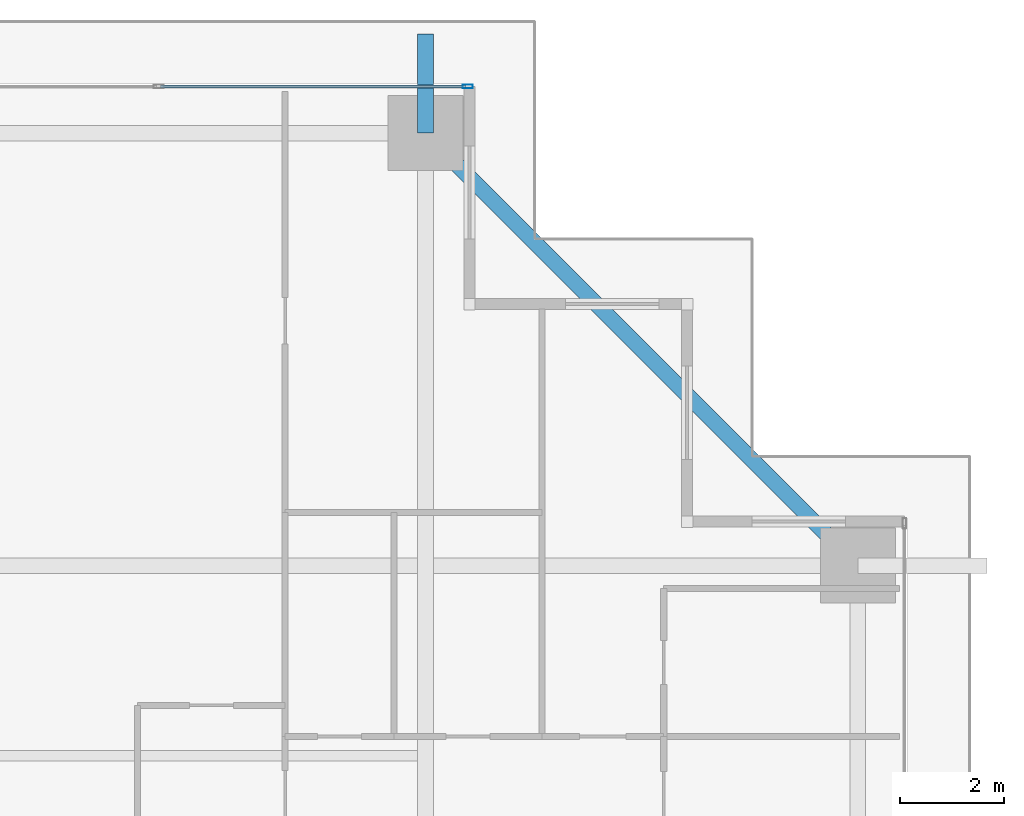
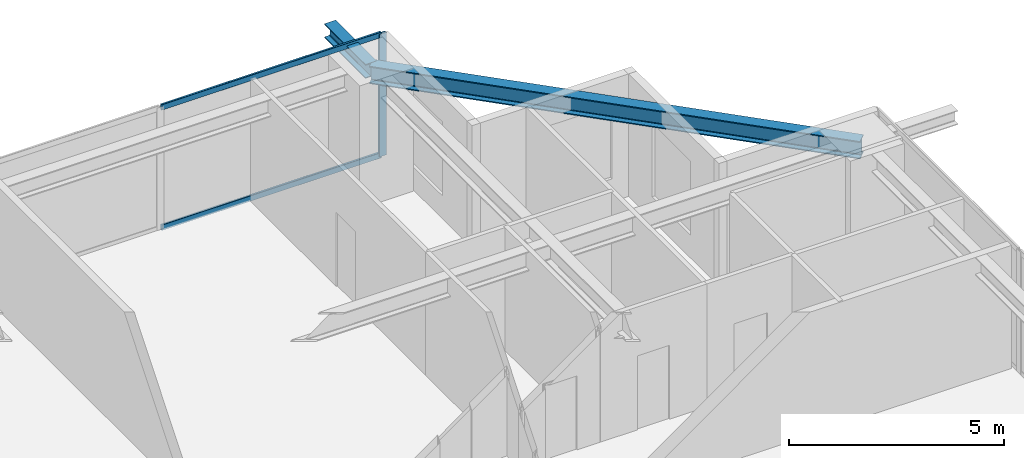
# One storey, part 25 of 41: 3 members, 2 beams, 1 element without a shape of its own.
"""IFC4 building model written with IfcOpenShell, lengths in metres."""

import ifcopenshell
import ifcopenshell.guid

model = None  # the IFC model being written
_history = None  # IfcOwnerHistory: only IFC2X3 demands one
_inside = {}  # id of a spatial element -> (the spatial element, [elements in it])
_under = {}  # id of a project, library or spatial element -> (it, [spatial elements below it])
_declared = {}  # id of a project -> (the project, [libraries it declares])
_typed = {}  # id of a type object -> (the type object, [elements of that type])
_made_of = {}  # id of a material, layer set ... -> (it, [elements and type objects made of it])


def new_model(schema):
    """Start an empty IFC model of exactly this schema.

    Asked for "IFC4X3", IfcOpenShell would pick the latest addendum, in which some entities
    have other attributes; the version numbers below select the first issue.
    IFC2X3 requires an IfcOwnerHistory on every rooted entity: one is made here for all.
    """
    global model, _history
    if schema == "IFC4X3":
        model = ifcopenshell.file(schema_version=(4, 3, 0, 0))
    else:
        model = ifcopenshell.file(schema=schema)
    _inside.clear()
    _under.clear()
    _declared.clear()
    _typed.clear()
    _made_of.clear()
    _history = None
    if model.schema == "IFC2X3":
        org = make("IfcOrganization", Name="unknown")
        user = make(
            "IfcPersonAndOrganization",
            ThePerson=make("IfcPerson", FamilyName="unknown"),
            TheOrganization=org,
        )
        app = make(
            "IfcApplication",
            ApplicationDeveloper=org,
            Version="unknown",
            ApplicationFullName="unknown",
            ApplicationIdentifier="unknown",
        )
        _history = make(
            "IfcOwnerHistory",
            OwningUser=user,
            OwningApplication=app,
            ChangeAction="ADDED",
            CreationDate=0,
        )
    return model


def make(cls, **values):
    """One entity of the class cls with the attributes given. An attribute that is None is left unset."""
    return model.create_entity(
        cls, **{name: value for name, value in values.items() if value is not None}
    )


def rooted(cls, **values):
    """An entity with a GlobalId (a new one), such as an element, a storey or a relation."""
    return make(cls, GlobalId=ifcopenshell.guid.new(), OwnerHistory=_history, **values)


def si_unit(unit_type, name, prefix=None):
    """IfcSIUnit, for example si_unit("LENGTHUNIT", "METRE", prefix="MILLI")."""
    return make("IfcSIUnit", UnitType=unit_type, Prefix=prefix, Name=name)


def assignment(units):
    """IfcUnitAssignment: the units of a project."""
    return None if units is None else make("IfcUnitAssignment", Units=units)


def point(xyz):
    """IfcCartesianPoint."""
    return None if xyz is None else make("IfcCartesianPoint", Coordinates=xyz)


def direction(xyz):
    """IfcDirection."""
    return None if xyz is None else make("IfcDirection", DirectionRatios=xyz)


def frame(location, z_axis=None, x_axis=None):
    """IfcAxis2Placement3D, a coordinate frame: its origin and axes. An axis left out is left unset."""
    return make(
        "IfcAxis2Placement3D",
        Location=point(location),
        Axis=direction(z_axis),
        RefDirection=direction(x_axis),
    )


def frame_2d(location, x_axis=None):
    """IfcAxis2Placement2D, a coordinate frame in the plane: its origin and x axis."""
    return make(
        "IfcAxis2Placement2D", Location=point(location), RefDirection=direction(x_axis)
    )


def origin():
    """The frame at (0, 0, 0) with its axes left unset."""
    return frame((0.0, 0.0, 0.0))


def origin_2d():
    """The frame at (0, 0) in the plane with its x axis left unset."""
    return frame_2d((0.0, 0.0))


def place(relative_to, where):
    """IfcLocalPlacement: puts the frame where relative to a parent placement (None: the world)."""
    return make(
        "IfcLocalPlacement", PlacementRelTo=relative_to, RelativePlacement=where
    )


def context(
    kind, dimensions, precision=None, world=None, true_north=None, identifier=None
):
    """IfcGeometricRepresentationContext, for example the 3D "Model" context."""
    return make(
        "IfcGeometricRepresentationContext",
        ContextIdentifier=identifier,
        ContextType=kind,
        CoordinateSpaceDimension=dimensions,
        Precision=precision,
        WorldCoordinateSystem=world,
        TrueNorth=true_north,
    )


def subcontext(parent, identifier, kind, view, scale=None):
    """IfcGeometricRepresentationSubContext, for example "Body" below "Model"."""
    return make(
        "IfcGeometricRepresentationSubContext",
        ContextIdentifier=identifier,
        ContextType=kind,
        ParentContext=parent,
        TargetScale=scale,
        TargetView=view,
    )


def project(units=None, contexts=None):
    """IfcProject with its units and contexts."""
    return rooted(
        "IfcProject",
        Name="project",
        RepresentationContexts=contexts,
        UnitsInContext=assignment(units),
    )


def spatial(cls, under=None, at=None, **own):
    """A site, building, storey or space (cls), placed at a placement, below another one or the project."""
    s = rooted(cls, ObjectPlacement=at, **own)
    if under is not None:
        _under.setdefault(under.id(), (under, []))[1].append(s)
    return s


def profile(cls, at=None, kind="AREA", **sizes):
    """A parametric profile (cls). Its sizes go by their IFC names, for example OverallWidth=200.0."""
    return make(cls, ProfileType=kind, Position=at, **sizes)


def hollow_rectangle(**sizes):
    """IfcRectangleHollowProfileDef."""
    return profile("IfcRectangleHollowProfileDef", **sizes)


def i_section(**sizes):
    """IfcIShapeProfileDef."""
    return profile("IfcIShapeProfileDef", **sizes)


def extrude(swept, where, along, depth):
    """IfcExtrudedAreaSolid: the profile swept, set in the frame where, extruded along a direction by depth."""
    return make(
        "IfcExtrudedAreaSolid",
        SweptArea=swept,
        Position=where,
        ExtrudedDirection=direction(along),
        Depth=depth,
    )


def shape(context_of_items, identifier, shape_type, items):
    """IfcShapeRepresentation: the items that make up one representation, for example the "Body"."""
    return make(
        "IfcShapeRepresentation",
        ContextOfItems=context_of_items,
        RepresentationIdentifier=identifier,
        RepresentationType=shape_type,
        Items=items,
    )


def source(mapping_origin, context_of_items, identifier, shape_type, items):
    """IfcRepresentationMap: a shape defined once, which mapped items show again and again."""
    return make(
        "IfcRepresentationMap",
        MappingOrigin=mapping_origin,
        MappedRepresentation=shape(context_of_items, identifier, shape_type, items),
    )


def transform(
    local_origin,
    x_axis=None,
    y_axis=None,
    z_axis=None,
    scale=None,
    scale2=None,
    scale3=None,
    uniform=True,
):
    """IfcCartesianTransformationOperator3D, or its non-uniform kind. x_axis, y_axis, z_axis: its Axis1, 2, 3."""
    if uniform:
        return make(
            "IfcCartesianTransformationOperator3D",
            Axis1=direction(x_axis),
            Axis2=direction(y_axis),
            LocalOrigin=point(local_origin),
            Scale=scale,
            Axis3=direction(z_axis),
        )
    return make(
        "IfcCartesianTransformationOperator3DnonUniform",
        Axis1=direction(x_axis),
        Axis2=direction(y_axis),
        LocalOrigin=point(local_origin),
        Scale=scale,
        Axis3=direction(z_axis),
        Scale2=scale2,
        Scale3=scale3,
    )


def mapped(mapping_source, mapping_target):
    """IfcMappedItem: shows the shape of a source again, moved by a transform."""
    return make(
        "IfcMappedItem", MappingSource=mapping_source, MappingTarget=mapping_target
    )


def material(Name=None, Category=None):
    """IfcMaterial."""
    return make("IfcMaterial", Name=Name, Category=Category)


def layer(
    of_material, thickness, ventilated=None, Name=None, Category=None, Priority=None
):
    """IfcMaterialLayer: one layer of a wall or slab, of a material (None: an air gap)."""
    return make(
        "IfcMaterialLayer",
        Material=of_material,
        LayerThickness=thickness,
        IsVentilated=ventilated,
        Name=Name,
        Category=Category,
        Priority=Priority,
    )


def layer_set(layers, Name=None):
    """IfcMaterialLayerSet."""
    return make("IfcMaterialLayerSet", MaterialLayers=layers, LayerSetName=Name)


def material_profile(
    of_material, cross_section, Name=None, Category=None, Priority=None
):
    """IfcMaterialProfile: a cross section and its material."""
    return make(
        "IfcMaterialProfile",
        Name=Name,
        Material=of_material,
        Profile=cross_section,
        Priority=Priority,
        Category=Category,
    )


def profile_set(profiles, Name=None, composite=None):
    """IfcMaterialProfileSet."""
    return make(
        "IfcMaterialProfileSet",
        Name=Name,
        MaterialProfiles=profiles,
        CompositeProfile=composite,
    )


def made_of(thing, what):
    """Note that an element or type object is made of a material, layer set ...; save() writes the relation."""
    if what is not None:
        _made_of.setdefault(what.id(), (what, []))[1].append(thing)
    return thing


def type_object(cls, material=None, **own):
    """A type object (cls), such as IfcWallType, which elements share."""
    return made_of(rooted(cls, **own), material)


def element(
    cls,
    number,
    at=None,
    inside=None,
    cuts=None,
    type_object=None,
    material=None,
    context=None,
    identifier="Body",
    shape_type=None,
    held_by="IfcProductDefinitionShape",
    body=None,
    shapes=None,
    **own,
):
    """One element of the class cls, such as IfcWall. Its Tag is "e" and its number.

    at: its placement. inside: the storey or other place that contains it. cuts: it is an
    opening in that element (IfcRelVoidsElement). A single representation is given by context,
    identifier, shape_type and body (its items); several are given by shapes. held_by: the class
    of the entity that holds the representations. save() writes the other relations.
    """
    e = rooted(cls, Tag="e%d" % number, ObjectPlacement=at, **own)
    if body is not None:
        shapes = [shape(context, identifier, shape_type, body)]
    if shapes is not None:
        e.Representation = make(held_by, Representations=shapes)
    if inside is not None:
        _inside.setdefault(inside.id(), (inside, []))[1].append(e)
    if cuts is not None:
        rooted(
            "IfcRelVoidsElement", RelatingBuildingElement=cuts, RelatedOpeningElement=e
        )
    if type_object is not None:
        _typed.setdefault(type_object.id(), (type_object, []))[1].append(e)
    return made_of(e, material)


def aggregate(whole, parts):
    """IfcRelAggregates: a whole, such as a stair, and the parts it consists of."""
    return rooted("IfcRelAggregates", RelatingObject=whole, RelatedObjects=parts)


def save(model, path):
    """Write the relations noted so far, then the file.

    IfcRelAggregates (storeys below a building ...), IfcRelContainedInSpatialStructure (elements
    in a storey), IfcRelDefinesByType, IfcRelAssociatesMaterial and IfcRelDeclares: one each for
    every whole, place, type object, material and project.
    """
    for whole, parts in _under.values():
        aggregate(whole, parts)
    for where, things in _inside.values():
        rooted(
            "IfcRelContainedInSpatialStructure",
            RelatedElements=things,
            RelatingStructure=where,
        )
    for kind, things in _typed.values():
        rooted("IfcRelDefinesByType", RelatedObjects=things, RelatingType=kind)
    for what, things in _made_of.values():
        rooted("IfcRelAssociatesMaterial", RelatedObjects=things, RelatingMaterial=what)
    for by, libraries in _declared.values():
        rooted("IfcRelDeclares", RelatingContext=by, RelatedDefinitions=libraries)
    model.write(path)


model = new_model("IFC4")

# Units and contexts
model_context = context("Model", 3, precision=1e-05, world=origin(), true_north=direction((0.0, 1.0)))
body_context = subcontext(model_context, "Body", "Model", "MODEL_VIEW")
ifc_project = project(units=[si_unit("LENGTHUNIT", "METRE"), si_unit("AREAUNIT", "SQUARE_METRE"), si_unit("VOLUMEUNIT", "CUBIC_METRE"), si_unit("PLANEANGLEUNIT", "RADIAN"), si_unit("MASSUNIT", "GRAM", prefix="KILO")], contexts=[model_context])

# Site, building, storey
site_placement = place(None, origin())
site = spatial("IfcSite", under=ifc_project, at=site_placement, CompositionType="ELEMENT")
building_placement = place(site_placement, origin())
building = spatial("IfcBuilding", under=site, at=building_placement, Name="Serunith Strait Residences", CompositionType="ELEMENT")
storey_placement = place(building_placement, frame((0.0, 0.0, 45.449951171875)))
storey = spatial("IfcBuildingStorey", under=building, at=storey_placement, Name="L10", CompositionType="ELEMENT", Elevation=45.449951171875)

# Beams
ifc_material_1 = material(Name="Steel S355J2", Category="steel")
ifc_material_profile_1 = material_profile(ifc_material_1, i_section(OverallWidth=0.300048828125, OverallDepth=0.5, WebThickness=0.014404296875, FlangeThickness=0.028076171875, FilletRadius=0.027099609375, at=origin_2d()), Name="HEB 500")
ifc_profile_set_1 = profile_set([ifc_material_profile_1], Name="Steel S355J2")
beam_type_1 = type_object("IfcBeamType", Name="BM-HEB500", PredefinedType="BEAM", material=ifc_profile_set_1)
shared_shape_1 = source(origin(), body_context, "Body", "SweptSolid", [
    extrude(i_section(OverallWidth=0.300048828125, OverallDepth=0.5, WebThickness=0.014404296875, FlangeThickness=0.028076171875, FilletRadius=0.027099609375, at=origin_2d()), origin(), (0.0, 0.0, 1.0), 11.80859375),
])
beam_1_placement = place(storey_placement, frame((57.89990234375, 40.949951171875, 3.20703125), z_axis=(-0.707096443746, 0.707117118476, 0.0), x_axis=(-0.707117118476, -0.707096443746, 0.0)))
element("IfcBeam", 1, at=beam_1_placement, inside=storey, type_object=beam_type_1, Name="L10 Perimeter Ring Beam 08", PredefinedType="BEAM", context=body_context, shape_type="MappedRepresentation", body=[
    mapped(shared_shape_1, transform((0.0, 0.0, 0.0), scale=1.0)),
])
ifc_material_profile_2 = material_profile(ifc_material_1, i_section(OverallWidth=0.300048828125, OverallDepth=0.39990234375, WebThickness=0.013427734375, FlangeThickness=0.02392578125, FilletRadius=0.027099609375, at=origin_2d()), Name="HEB 400")
ifc_profile_set_2 = profile_set([ifc_material_profile_2], Name="Steel S355J2")
beam_type_2 = type_object("IfcBeamType", Name="BM-HEB400", PredefinedType="BEAM", material=ifc_profile_set_2)
shared_shape_2 = source(origin(), body_context, "Body", "SweptSolid", [
    extrude(i_section(OverallWidth=0.300048828125, OverallDepth=0.39990234375, WebThickness=0.013427734375, FlangeThickness=0.02392578125, FilletRadius=0.027099609375, at=origin_2d()), origin(), (0.0, 0.0, 1.0), 1.909912109375),
])
beam_2_placement = place(storey_placement, frame((49.550048828125, 49.300048828125, 3.257080078125), z_axis=(0.0, 1.0, 0.0), x_axis=(-1.0, 0.0, 0.0)))
element("IfcBeam", 2, at=beam_2_placement, inside=storey, type_object=beam_type_2, Name="L11 Cantilevered Balcony Rib TC-N4", PredefinedType="BEAM", context=body_context, shape_type="MappedRepresentation", body=[
    mapped(shared_shape_2, transform((0.0, 0.0, 0.0), scale=1.0)),
])

# Curtain wall, members
ifc_material_2 = material(Name="Pale-Champagne Anodised Aluminium", Category="aluminium")
ifc_layer = layer(ifc_material_2, 0.199951171875, Name="Pale-Champagne Anodised Aluminium")
ifc_layer_set = layer_set([ifc_layer], Name="Pale-Champagne Anodised Aluminium")
curtain_wall_type = type_object("IfcCurtainWallType", Name="CW-SYS1", PredefinedType="NOTDEFINED", material=ifc_layer_set)
curtain_wall_placement = place(storey_placement, origin())
curtain_wall = element("IfcCurtainWall", 3, at=curtain_wall_placement, inside=storey, type_object=curtain_wall_type, Name="L10 N Unitised Fritted Curtain Wall", PredefinedType="NOTDEFINED")
ifc_material_profile_3 = material_profile(ifc_material_2, hollow_rectangle(XDim=0.070068359375, YDim=0.199951171875, WallThickness=0.00390625, InnerFilletRadius=0.006103515625, OuterFilletRadius=0.010009765625, at=origin_2d()), Name="ALU 200x70x4")
ifc_profile_set_3 = profile_set([ifc_material_profile_3], Name="Pale-Champagne Anodised Aluminium")
member_type_1 = type_object("IfcMemberType", Name="CW-SYS1-MULL", PredefinedType="MULLION", material=ifc_profile_set_3)
shared_shape_3 = source(origin(), body_context, "Body", "SweptSolid", [
    extrude(hollow_rectangle(XDim=0.070068359375, YDim=0.199951171875, WallThickness=0.00390625, InnerFilletRadius=0.006103515625, OuterFilletRadius=0.010009765625, at=origin_2d()), origin(), (0.0, 0.0, 1.0), 3.47509765625),
])
member_1_placement = place(storey_placement, frame((50.364990234375, 50.199951171875, 0.0), z_axis=(0.0, 0.0, 1.0), x_axis=(0.0, -1.0, 0.0)))
member_1 = element("IfcMember", 4, at=member_1_placement, type_object=member_type_1, Name="CW-1 mullion 1", PredefinedType="MULLION", context=body_context, shape_type="MappedRepresentation", body=[
    mapped(shared_shape_3, transform((0.0, 0.0, 0.0), scale=1.0)),
])
ifc_material_profile_4 = material_profile(ifc_material_2, hollow_rectangle(XDim=0.06005859375, YDim=0.159912109375, WallThickness=0.00341796875, InnerFilletRadius=0.00537109375, OuterFilletRadius=0.0087890625, at=origin_2d()), Name="ALU 160x60x3.5")
ifc_profile_set_4 = profile_set([ifc_material_profile_4], Name="Pale-Champagne Anodised Aluminium")
member_type_2 = type_object("IfcMemberType", Name="CW-SYS1-TRAN", PredefinedType="USERDEFINED", material=ifc_profile_set_4)
shared_shape_4 = source(origin(), body_context, "Body", "SweptSolid", [
    extrude(hollow_rectangle(XDim=0.06005859375, YDim=0.159912109375, WallThickness=0.00341796875, InnerFilletRadius=0.00537109375, OuterFilletRadius=0.0087890625, at=origin_2d()), origin(), (0.0, 0.0, 1.0), 5.89501953125),
])
member_2_placement = place(storey_placement, frame((50.330078125, 50.199951171875, 0.030029296875), z_axis=(-1.0, 0.0, 0.0), x_axis=(0.0, -1.0, 0.0)))
member_2 = element("IfcMember", 5, at=member_2_placement, type_object=member_type_2, Name="CW-1 transom 1.1", ObjectType="TRANSOM", PredefinedType="USERDEFINED", context=body_context, shape_type="MappedRepresentation", body=[
    mapped(shared_shape_4, transform((0.0, 0.0, 0.0), scale=1.0)),
])
member_3_placement = place(storey_placement, frame((50.330078125, 50.199951171875, 3.445068359375), z_axis=(-1.0, 0.0, 0.0), x_axis=(0.0, -1.0, 0.0)))
member_3 = element("IfcMember", 6, at=member_3_placement, type_object=member_type_2, Name="CW-1 transom 1.2", ObjectType="TRANSOM", PredefinedType="USERDEFINED", context=body_context, shape_type="MappedRepresentation", body=[
    mapped(shared_shape_4, transform((0.0, 0.0, 0.0), scale=1.0)),
])
aggregate(curtain_wall, [member_1, member_2, member_3])

save(model, "model.ifc")
